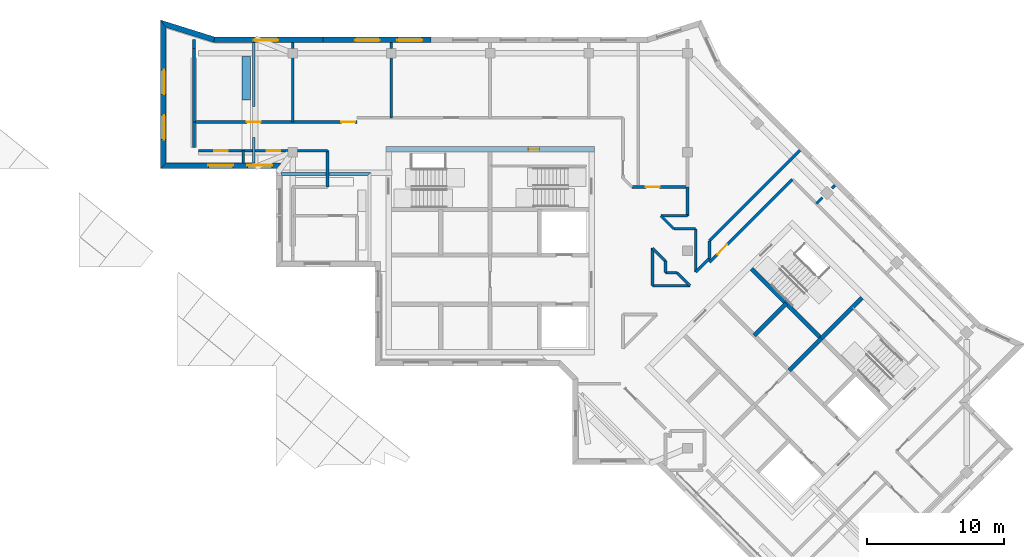
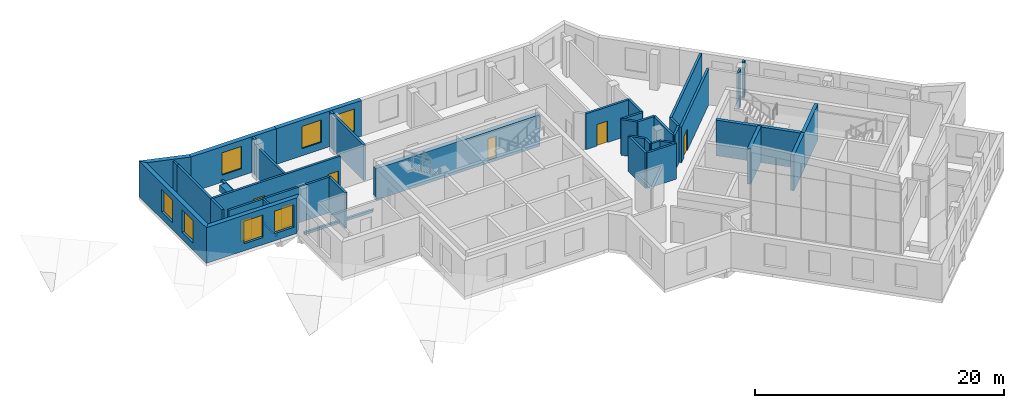
# One storey, part 8 of 13: 44 walls, 7 doors, 7 windows, 14 openings.
"""IFC4 building model written with IfcOpenShell, lengths in metres."""

from ifc_helpers import new_model, si_unit, direction, frame, frame_2d, origin, place, context, subcontext, project, spatial, polyline, rectangle, outline, extrude, material, layer, layer_set, type_object, element, fill, save


model = new_model("IFC4")

# Units and contexts
model_context = context("Model", 3, precision=1e-05, world=origin(), true_north=direction((0.0, 1.0)))
body_context = subcontext(model_context, "Body", "Model", "MODEL_VIEW")
ifc_project = project(units=[si_unit("LENGTHUNIT", "METRE"), si_unit("AREAUNIT", "SQUARE_METRE"), si_unit("VOLUMEUNIT", "CUBIC_METRE"), si_unit("PLANEANGLEUNIT", "RADIAN"), si_unit("MASSUNIT", "GRAM", prefix="KILO")], contexts=[model_context])

# Site, building, storey
site_placement = place(None, origin())
site = spatial("IfcSite", under=ifc_project, at=site_placement, CompositionType="ELEMENT")
building_placement = place(site_placement, origin())
building = spatial("IfcBuilding", under=site, at=building_placement, Name="Windrow Commons", CompositionType="ELEMENT")
storey_placement = place(building_placement, frame((0.0, 0.0, 294.4)))
storey = spatial("IfcBuildingStorey", under=building, at=storey_placement, Name="L80", CompositionType="ELEMENT", Elevation=294.4)

# Wall, openings, doors
ifc_material_1 = material(Name="Blockwork partition", Category="masonry")
ifc_layer_1 = layer(ifc_material_1, 0.2)
ifc_layer_set_1 = layer_set([ifc_layer_1], Name="IW-CORRIDOR-200")
wall_type_1 = type_object("IfcWallType", Name="IW-CORRIDOR-200", PredefinedType="PARTITIONING", material=ifc_layer_set_1)
wall_1_placement = place(storey_placement, frame((43.2, 67.0, 0.0), z_axis=(0.0, 0.0, 1.0), x_axis=(1.0, 0.0, 0.0)))
wall_1 = element("IfcWall", 1, at=wall_1_placement, inside=storey, type_object=wall_type_1, Name="W-L80-W003", PredefinedType="PARTITIONING", context=body_context, shape_type="SweptSolid", body=[
    extrude(rectangle(XDim=11.9, YDim=0.2, at=frame_2d((5.95, 0.0))), origin(), (0.0, 0.0, 1.0), 3.5),
])
opening_1_placement = place(wall_1_placement, frame((3.8625, 0.0, 0.0)))
opening_1 = element("IfcOpeningElement", 2, at=opening_1_placement, cuts=wall_1, Name="Opening D410F", PredefinedType="OPENING", context=body_context, shape_type="SweptSolid", body=[
    extrude(rectangle(XDim=1.0, YDim=2.1, at=frame_2d((0.5, 1.05))), frame((0.0, 0.11, 0.0), z_axis=(0.0, -1.0, 0.0), x_axis=(1.0, 0.0, 0.0)), (0.0, 0.0, 1.0), 0.22),
])
opening_2_placement = place(wall_1_placement, frame((10.7546, 0.0, 0.0)))
opening_2 = element("IfcOpeningElement", 3, at=opening_2_placement, cuts=wall_1, Name="Opening D410F", PredefinedType="OPENING", context=body_context, shape_type="SweptSolid", body=[
    extrude(rectangle(XDim=1.0, YDim=2.1, at=frame_2d((0.5, 1.05))), frame((0.0, 0.11, 0.0), z_axis=(0.0, -1.0, 0.0), x_axis=(1.0, 0.0, 0.0)), (0.0, 0.0, 1.0), 0.22),
])
ifc_material_2 = material(Name="Timber door leaf", Category="wood")
door_type_1 = type_object("IfcDoorType", Name="DT-SERVICE-1000", OperationType="SINGLE_SWING_LEFT", PredefinedType="DOOR", material=ifc_material_2)
door_1_placement = place(opening_1_placement, origin())
door_1 = element("IfcDoor", 4, at=door_1_placement, inside=storey, type_object=door_type_1, Name="D-L80-D002", OperationType="SINGLE_SWING_RIGHT", OverallHeight=2.1, OverallWidth=1.0, PredefinedType="DOOR", context=body_context, shape_type="SweptSolid", body=[
    extrude(rectangle(XDim=1.0, YDim=2.1, at=frame_2d((0.5, 1.05))), frame((0.0, 0.025, 0.0), z_axis=(0.0, -1.0, 0.0), x_axis=(1.0, 0.0, 0.0)), (0.0, 0.0, 1.0), 0.05),
])
fill(opening_1, door_1)
door_2_placement = place(opening_2_placement, origin())
door_2 = element("IfcDoor", 5, at=door_2_placement, inside=storey, type_object=door_type_1, Name="D-L80-D003", OperationType="SINGLE_SWING_RIGHT", OverallHeight=2.1, OverallWidth=1.0, PredefinedType="DOOR", context=body_context, shape_type="SweptSolid", body=[
    extrude(rectangle(XDim=1.0, YDim=2.1, at=frame_2d((0.5, 1.05))), frame((0.0, 0.025, 0.0), z_axis=(0.0, -1.0, 0.0), x_axis=(1.0, 0.0, 0.0)), (0.0, 0.0, 1.0), 0.05),
])
fill(opening_2, door_2)

# Wall, opening, door
wall_2_placement = place(storey_placement, frame((80.8035, 56.7705, 0.0), z_axis=(0.0, 0.0, 1.0), x_axis=(0.7069896038, 0.7072239391, 0.0)))
wall_2 = element("IfcWall", 6, at=wall_2_placement, inside=storey, type_object=wall_type_1, Name="W-L80-W008", PredefinedType="PARTITIONING", context=body_context, shape_type="SweptSolid", body=[
    extrude(rectangle(XDim=8.5348, YDim=0.2, at=frame_2d((4.2674, 0.0))), origin(), (0.0, 0.0, 1.0), 3.5),
])
opening_3_placement = place(wall_2_placement, frame((0.8108, 0.0, 0.0)))
opening_3 = element("IfcOpeningElement", 7, at=opening_3_placement, cuts=wall_2, Name="Opening D410F", PredefinedType="OPENING", context=body_context, shape_type="SweptSolid", body=[
    extrude(rectangle(XDim=1.0, YDim=2.1, at=frame_2d((0.5, 1.05))), frame((0.0, 0.11, 0.0), z_axis=(0.0, -1.0, 0.0), x_axis=(1.0, 0.0, 0.0)), (0.0, 0.0, 1.0), 0.22),
])
door_3_placement = place(opening_3_placement, origin())
door_3 = element("IfcDoor", 8, at=door_3_placement, inside=storey, type_object=door_type_1, Name="D-L80-D010", OperationType="SINGLE_SWING_RIGHT", OverallHeight=2.1, OverallWidth=1.0, PredefinedType="DOOR", context=body_context, shape_type="SweptSolid", body=[
    extrude(rectangle(XDim=1.0, YDim=2.1, at=frame_2d((0.5, 1.05))), frame((0.0, 0.025, 0.0), z_axis=(0.0, -1.0, 0.0), x_axis=(1.0, 0.0, 0.0)), (0.0, 0.0, 1.0), 0.05),
])
fill(opening_3, door_3)

# Wall, openings, doors
wall_3_placement = place(storey_placement, frame((43.55, 64.9, 0.0), z_axis=(0.0, 0.0, 1.0), x_axis=(1.0, 0.0, 0.0)))
wall_3 = element("IfcWall", 9, at=wall_3_placement, inside=storey, type_object=wall_type_1, Name="W-L80-W009", PredefinedType="PARTITIONING", context=body_context, shape_type="SweptSolid", body=[
    extrude(rectangle(XDim=7.2, YDim=0.2, at=frame_2d((3.6, 0.0))), origin(), (0.0, 0.0, 1.0), 3.5),
])
opening_4_placement = place(wall_3_placement, frame((1.1254, 0.0, 0.0)))
opening_4 = element("IfcOpeningElement", 10, at=opening_4_placement, cuts=wall_3, Name="Opening D410F", PredefinedType="OPENING", context=body_context, shape_type="SweptSolid", body=[
    extrude(rectangle(XDim=1.0, YDim=2.1, at=frame_2d((0.5, 1.05))), frame((0.0, 0.11, 0.0), z_axis=(0.0, -1.0, 0.0), x_axis=(1.0, 0.0, 0.0)), (0.0, 0.0, 1.0), 0.22),
])
opening_5_placement = place(wall_3_placement, frame((4.9516, 0.0, 0.0)))
opening_5 = element("IfcOpeningElement", 11, at=opening_5_placement, cuts=wall_3, Name="Opening D410F", PredefinedType="OPENING", context=body_context, shape_type="SweptSolid", body=[
    extrude(rectangle(XDim=1.0, YDim=2.1, at=frame_2d((0.5, 1.05))), frame((0.0, 0.11, 0.0), z_axis=(0.0, -1.0, 0.0), x_axis=(1.0, 0.0, 0.0)), (0.0, 0.0, 1.0), 0.22),
])
door_4_placement = place(opening_4_placement, origin())
door_4 = element("IfcDoor", 12, at=door_4_placement, inside=storey, type_object=door_type_1, Name="D-L80-D001", OperationType="SINGLE_SWING_RIGHT", OverallHeight=2.1, OverallWidth=1.0, PredefinedType="DOOR", context=body_context, shape_type="SweptSolid", body=[
    extrude(rectangle(XDim=1.0, YDim=2.1, at=frame_2d((0.5, 1.05))), frame((0.0, 0.025, 0.0), z_axis=(0.0, -1.0, 0.0), x_axis=(1.0, 0.0, 0.0)), (0.0, 0.0, 1.0), 0.05),
])
fill(opening_4, door_4)
door_5_placement = place(opening_5_placement, origin())
door_5 = element("IfcDoor", 13, at=door_5_placement, inside=storey, type_object=door_type_1, Name="D-L80-D004", OperationType="SINGLE_SWING_RIGHT", OverallHeight=2.1, OverallWidth=1.0, PredefinedType="DOOR", context=body_context, shape_type="SweptSolid", body=[
    extrude(rectangle(XDim=1.0, YDim=2.1, at=frame_2d((0.5, 1.05))), frame((0.0, 0.025, 0.0), z_axis=(0.0, -1.0, 0.0), x_axis=(1.0, 0.0, 0.0)), (0.0, 0.0, 1.0), 0.05),
])
fill(opening_5, door_5)

# Wall, opening, door
wall_4_placement = place(storey_placement, frame((75.162, 62.25, 0.0), z_axis=(0.0, 0.0, 1.0), x_axis=(1.0, 0.0, 0.0)))
wall_4 = element("IfcWall", 14, at=wall_4_placement, inside=storey, type_object=wall_type_1, Name="W-L80-W024", PredefinedType="PARTITIONING", context=body_context, shape_type="SweptSolid", body=[
    extrude(rectangle(XDim=4.038, YDim=0.2, at=frame_2d((2.019, 0.0))), origin(), (0.0, 0.0, 1.0), 3.5),
])
opening_6_placement = place(wall_4_placement, frame((1.0055, 0.0, 0.0)))
opening_6 = element("IfcOpeningElement", 15, at=opening_6_placement, cuts=wall_4, Name="Opening D410F", PredefinedType="OPENING", context=body_context, shape_type="SweptSolid", body=[
    extrude(rectangle(XDim=1.0, YDim=2.1, at=frame_2d((0.5, 1.05))), frame((0.0, 0.11, 0.0), z_axis=(0.0, -1.0, 0.0), x_axis=(1.0, 0.0, 0.0)), (0.0, 0.0, 1.0), 0.22),
])
door_6_placement = place(opening_6_placement, origin())
door_6 = element("IfcDoor", 16, at=door_6_placement, inside=storey, type_object=door_type_1, Name="D-L80-D009", OperationType="SINGLE_SWING_LEFT", OverallHeight=2.1, OverallWidth=1.0, PredefinedType="DOOR", context=body_context, shape_type="SweptSolid", body=[
    extrude(rectangle(XDim=1.0, YDim=2.1, at=frame_2d((0.5, 1.05))), frame((0.0, 0.025, 0.0), z_axis=(0.0, -1.0, 0.0), x_axis=(1.0, 0.0, 0.0)), (0.0, 0.0, 1.0), 0.05),
])
fill(opening_6, door_6)

# Walls
wall_5_placement = place(storey_placement, frame((79.8, 56.056, 0.0), z_axis=(0.0, 0.0, 1.0), x_axis=(0.0, 1.0, 0.0)))
element("IfcWall", 17, at=wall_5_placement, inside=storey, type_object=wall_type_1, Name="W-L80-W031", PredefinedType="PARTITIONING", context=body_context, shape_type="SweptSolid", body=[
    extrude(rectangle(XDim=3.144, YDim=0.2, at=frame_2d((1.572, 0.0))), origin(), (0.0, 0.0, 1.0), 3.5),
])
for number, where, z_axis, x_axis, name in (
    (18, (76.65, 55.052, 0.0), (0.0, 0.0, 1.0), (0.0, 1.0, 0.0), "W-L80-W033"),
    (19, (76.652, 55.05, 0.0), (0.0, 0.0, 1.0), (1.0, 0.0, 0.0), "W-L80-W034"),
):
    element("IfcWall", number, at=place(storey_placement, frame(where, z_axis=z_axis, x_axis=x_axis)), inside=storey, type_object=wall_type_1, Name=name, PredefinedType="PARTITIONING", context=body_context, shape_type="SweptSolid", body=[
        extrude(rectangle(XDim=2.738, YDim=0.2, at=frame_2d((1.369, 0.0))), origin(), (0.0, 0.0, 1.0), 3.5),
    ])
wall_6_placement = place(storey_placement, frame((52.95, 62.252, 0.0), z_axis=(0.0, 0.0, 1.0), x_axis=(0.0, 1.0, 0.0)))
element("IfcWall", 20, at=wall_6_placement, inside=storey, type_object=wall_type_1, Name="W-L80-W038", PredefinedType="PARTITIONING", context=body_context, shape_type="SweptSolid", body=[
    extrude(rectangle(XDim=2.648, YDim=0.2, at=frame_2d((1.324, 0.0))), origin(), (0.0, 0.0, 1.0), 3.5),
])
wall_7_placement = place(storey_placement, frame((50.75, 64.9, 0.0), z_axis=(0.0, 0.0, 1.0), x_axis=(1.0, 0.0, 0.0)))
element("IfcWall", 21, at=wall_7_placement, inside=storey, type_object=wall_type_1, Name="W-L80-W046", PredefinedType="PARTITIONING", context=body_context, shape_type="SweptSolid", body=[
    extrude(rectangle(XDim=2.2, YDim=0.2, at=frame_2d((1.1, 0.0))), origin(), (0.0, 0.0, 1.0), 3.5),
])
wall_8_placement = place(storey_placement, frame((79.2, 60.15, 0.0), z_axis=(0.0, 0.0, 1.0), x_axis=(0.0, 1.0, 0.0)))
element("IfcWall", 22, at=wall_8_placement, inside=storey, type_object=wall_type_1, Name="W-L80-W051", PredefinedType="PARTITIONING", context=body_context, shape_type="SweptSolid", body=[
    extrude(rectangle(XDim=2.1, YDim=0.2, at=frame_2d((1.05, 0.0))), origin(), (0.0, 0.0, 1.0), 3.5),
])
wall_9_placement = place(storey_placement, frame((77.264, 60.15, 0.0), z_axis=(0.0, 0.0, 1.0), x_axis=(1.0, 0.0, 0.0)))
element("IfcWall", 23, at=wall_9_placement, inside=storey, type_object=wall_type_1, Name="W-L80-W054", PredefinedType="PARTITIONING", context=body_context, shape_type="SweptSolid", body=[
    extrude(rectangle(XDim=1.936, YDim=0.2, at=frame_2d((0.968, 0.0))), origin(), (0.0, 0.0, 1.0), 3.5),
])
wall_10_placement = place(storey_placement, frame((43.2, 65.15, 0.0), z_axis=(0.0, 0.0, 1.0), x_axis=(0.0, 1.0, 0.0)))
element("IfcWall", 24, at=wall_10_placement, inside=storey, type_object=wall_type_1, Name="W-L80-W055", PredefinedType="PARTITIONING", context=body_context, shape_type="SweptSolid", body=[
    extrude(rectangle(XDim=1.85, YDim=0.2, at=frame_2d((0.925, 0.0))), origin(), (0.0, 0.0, 1.0), 3.5),
])
wall_11_placement = place(storey_placement, frame((78.212, 59.2, 0.0), z_axis=(0.0, 0.0, 1.0), x_axis=(1.0, 0.0, 0.0)))
element("IfcWall", 25, at=wall_11_placement, inside=storey, type_object=wall_type_1, Name="W-L80-W056", PredefinedType="PARTITIONING", context=body_context, shape_type="SweptSolid", body=[
    extrude(rectangle(XDim=1.588, YDim=0.2, at=frame_2d((0.794, 0.0))), origin(), (0.0, 0.0, 1.0), 3.5),
])
wall_12_placement = place(storey_placement, frame((79.8013, 56.0567, 0.0), z_axis=(0.0, 0.0, 1.0), x_axis=(0.7071067812, 0.7071067812, 0.0)))
element("IfcWall", 26, at=wall_12_placement, inside=storey, type_object=wall_type_1, Name="W-L80-W057", PredefinedType="PARTITIONING", context=body_context, shape_type="SweptSolid", body=[
    extrude(rectangle(XDim=1.4114, YDim=0.2, at=frame_2d((0.7057, 0.0))), origin(), (0.0, 0.0, 1.0), 3.5),
])
for number, where, z_axis, x_axis, name in (
    (27, (78.4386, 55.9966, 0.0), (0.0, 0.0, 1.0), (0.7071067812, -0.7071067812, 0.0), "W-L80-W058"),
    (28, (77.2605, 60.1445, 0.0), (0.0, 0.0, 1.0), (0.7071067812, -0.7071067812, 0.0), "W-L80-W059"),
    (29, (76.6486, 57.7866, 0.0), (0.0, 0.0, 1.0), (0.7071067812, -0.7071067812, 0.0), "W-L80-W060"),
):
    element("IfcWall", number, at=place(storey_placement, frame(where, z_axis=z_axis, x_axis=x_axis)), inside=storey, type_object=wall_type_1, Name=name, PredefinedType="PARTITIONING", context=body_context, shape_type="SweptSolid", body=[
        extrude(rectangle(XDim=1.3407, YDim=0.2, at=frame_2d((0.6704, 0.0))), origin(), (0.0, 0.0, 1.0), 3.5),
    ])
for number, where, z_axis, x_axis, name in (
    (30, (77.6, 56.0, 0.0), (0.0, 0.0, 1.0), (0.0, 1.0, 0.0), "W-L80-W065"),
    (31, (77.6, 56.0, 0.0), (0.0, 0.0, 1.0), (1.0, 0.0, 0.0), "W-L80-W066"),
):
    element("IfcWall", number, at=place(storey_placement, frame(where, z_axis=z_axis, x_axis=x_axis)), inside=storey, type_object=wall_type_1, Name=name, PredefinedType="PARTITIONING", context=body_context, shape_type="SweptSolid", body=[
        extrude(rectangle(XDim=0.842, YDim=0.2, at=frame_2d((0.421, 0.0))), origin(), (0.0, 0.0, 1.0), 3.5),
    ])
ifc_material_3 = material(Name="Blockwork partition", Category="masonry")
ifc_layer_2 = layer(ifc_material_3, 0.2)
ifc_layer_set_2 = layer_set([ifc_layer_2], Name="IW-PARTY-200")
wall_type_2 = type_object("IfcWallType", Name="IW-PARTY-200", PredefinedType="PARTITIONING", material=ifc_layer_set_2)
wall_13_placement = place(storey_placement, frame((43.2, 67.0, 0.0), z_axis=(0.0, 0.0, 1.0), x_axis=(0.0, 1.0, 0.0)))
element("IfcWall", 32, at=wall_13_placement, inside=storey, type_object=wall_type_2, Name="W-L80-W017", PredefinedType="PARTITIONING", context=body_context, shape_type="SweptSolid", body=[
    extrude(rectangle(XDim=5.35, YDim=0.2, at=frame_2d((2.675, 0.0))), origin(), (0.0, 0.0, 1.0), 3.5),
])
wall_14_placement = place(storey_placement, frame((50.4, 67.0, 0.0), z_axis=(0.0, 0.0, 1.0), x_axis=(0.0, 1.0, 0.0)))
element("IfcWall", 33, at=wall_14_placement, inside=storey, type_object=wall_type_2, Name="W-L80-W018", PredefinedType="PARTITIONING", context=body_context, shape_type="SweptSolid", body=[
    extrude(rectangle(XDim=5.35, YDim=0.2, at=frame_2d((2.675, 0.0))), origin(), (0.0, 0.0, 1.0), 3.0),
])
wall_15_placement = place(storey_placement, frame((57.6, 67.3, 0.0), z_axis=(0.0, 0.0, 1.0), x_axis=(0.0, 1.0, 0.0)))
element("IfcWall", 34, at=wall_15_placement, inside=storey, type_object=wall_type_2, Name="W-L80-W020", PredefinedType="PARTITIONING", context=body_context, shape_type="SweptSolid", body=[
    extrude(rectangle(XDim=5.05, YDim=0.2, at=frame_2d((2.525, 0.0))), origin(), (0.0, 0.0, 1.0), 3.5),
])
wall_16_placement = place(storey_placement, frame((80.8, 57.054, 0.0), z_axis=(0.0, 0.0, 1.0), x_axis=(0.0, 1.0, 0.0)))
element("IfcWall", 35, at=wall_16_placement, inside=storey, type_object=wall_type_2, Name="W-L80-W061", PredefinedType="PARTITIONING", context=body_context, shape_type="SweptSolid", body=[
    extrude(rectangle(XDim=1.272, YDim=0.2, at=frame_2d((0.636, 0.0))), origin(), (0.0, 0.0, 1.0), 3.5),
])
wall_17_placement = place(storey_placement, frame((43.2, 72.35, 0.0), z_axis=(0.0, 0.0, 1.0), x_axis=(0.0, 1.0, 0.0)))
element("IfcWall", 36, at=wall_17_placement, inside=storey, type_object=wall_type_2, Name="W-L80-W068", PredefinedType="PARTITIONING", context=body_context, shape_type="SweptSolid", body=[
    extrude(rectangle(XDim=0.65, YDim=0.2, at=frame_2d((0.325, 0.0))), origin(), (0.0, 0.0, 1.0), 3.5),
])
wall_18_placement = place(storey_placement, frame((88.6035, 61.0405, 0.0), z_axis=(0.0, 0.0, 1.0), x_axis=(0.7071067812, 0.7071067812, 0.0)))
element("IfcWall", 37, at=wall_18_placement, inside=storey, type_object=wall_type_2, Name="W-L80-W075", PredefinedType="PARTITIONING", context=body_context, shape_type="SweptSolid", body=[
    extrude(rectangle(XDim=0.6053, YDim=0.2, at=frame_2d((0.3026, 0.0))), origin(), (0.0, 0.0, 1.0), 3.5),
])
wall_19_placement = place(storey_placement, frame((80.7989, 58.3271, 0.0), z_axis=(0.0, 0.0, 1.0), x_axis=(0.7071067812, 0.7071067812, 0.0)))
element("IfcWall", 38, at=wall_19_placement, inside=storey, type_object=wall_type_2, Name="W-L80-W005", PredefinedType="PARTITIONING", context=body_context, shape_type="SweptSolid", body=[
    extrude(outline(polyline([(0.0, -0.1), (9.3376, -0.1), (9.3376, 0.1), (0.0, 0.1), (0.0, -0.1)])), origin(), (0.0, 0.0, 1.0), 3.5),
])
wall_20_placement = place(storey_placement, frame((46.8, 64.0, 0.0), z_axis=(0.0, 0.0, 1.0), x_axis=(0.0, 1.0, 0.0)))
element("IfcWall", 39, at=wall_20_placement, inside=storey, type_object=wall_type_2, Name="W-L80-W062", PredefinedType="PARTITIONING", context=body_context, shape_type="SweptSolid", body=[
    extrude(outline(polyline([(0.0, -0.1), (0.9, -0.1), (0.9, 0.1), (0.0, 0.1), (0.0, -0.1)])), origin(), (0.0, 0.0, 1.0), 3.5),
])
for number, where, z_axis, x_axis, name in (
    (40, (50.4, 72.35, 0.0), (0.0, 0.0, 1.0), (0.0, 1.0, 0.0), "W-L80-W069"),
    (41, (57.6, 72.35, 0.0), (0.0, 0.0, 1.0), (0.0, 1.0, 0.0), "W-L80-W070"),
):
    element("IfcWall", number, at=place(storey_placement, frame(where, z_axis=z_axis, x_axis=x_axis)), inside=storey, type_object=wall_type_2, Name=name, PredefinedType="PARTITIONING", context=body_context, shape_type="SweptSolid", body=[
        extrude(outline(polyline([(0.0, -0.1), (0.45, -0.1), (0.45, 0.1), (0.0, 0.1), (0.0, -0.1)])), origin(), (0.0, 0.0, 1.0), 3.5),
    ])
wall_21_placement = place(storey_placement, frame((89.7343, 62.1657, 0.0), z_axis=(0.0, 0.0, 1.0), x_axis=(0.7089070674, 0.7053018997, 0.0)))
element("IfcWall", 42, at=wall_21_placement, inside=storey, type_object=wall_type_2, Name="W-L80-W079", PredefinedType="PARTITIONING", context=body_context, shape_type="SweptSolid", body=[
    extrude(outline(polyline([(0.0, -0.1), (0.3051, -0.1), (0.3051, 0.1), (0.0, 0.1), (0.0, -0.1)])), origin(), (0.0, 0.0, 1.0), 3.5),
])
ifc_material_4 = material(Name="Concrete C30/37 planter wall", Category="concrete")
ifc_layer_3 = layer(ifc_material_4, 0.6)
ifc_layer_set_3 = layer_set([ifc_layer_3], Name="Planter 600x450")
wall_type_3 = type_object("IfcWallType", Name="Planter 600x450", PredefinedType="SOLIDWALL", material=ifc_layer_set_3)
wall_22_placement = place(storey_placement, frame((47.017, 68.6, 0.0), z_axis=(0.0, 0.0, 1.0), x_axis=(0.0, 1.0, 0.0)))
element("IfcWall", 43, at=wall_22_placement, inside=storey, type_object=wall_type_3, Name="PLANTER TR-L80-1.1", PredefinedType="SOLIDWALL", context=body_context, shape_type="SweptSolid", body=[
    extrude(outline(polyline([(0.0, -0.3), (3.18, -0.3), (3.18, 0.3), (0.0, 0.3), (0.0, -0.3)])), origin(), (0.0, 0.0, 1.0), 0.65),
])

# Wall, opening, door
ifc_material_5 = material(Name="Concrete C40/50", Category="concrete")
ifc_layer_4 = layer(ifc_material_5, 0.4)
ifc_layer_set_4 = layer_set([ifc_layer_4], Name="RC CORE WALL 400 C40/50")
wall_type_4 = type_object("IfcWallType", Name="RC CORE WALL 400 C40/50", PredefinedType="SHEAR", material=ifc_layer_set_4)
wall_23_placement = place(storey_placement, frame((57.2, 65.0, -0.3), z_axis=(0.0, 0.0, 1.0), x_axis=(1.0, 0.0, 0.0)))
wall_23 = element("IfcWall", 44, at=wall_23_placement, inside=storey, type_object=wall_type_4, Name="Core A wall outer-N", PredefinedType="SHEAR", context=body_context, shape_type="SweptSolid", body=[
    extrude(outline(polyline([(0.0, 0.0), (15.2, 0.0), (15.2, 3.1), (0.0, 3.1), (0.0, 0.0)])), frame((0.0, 0.2, 0.0), z_axis=(0.0, -1.0, 0.0), x_axis=(1.0, 0.0, 0.0)), (0.0, 0.0, 1.0), 0.4),
])
opening_7_placement = place(wall_23_placement, frame((10.4, 0.0, 0.3)))
opening_7 = element("IfcOpeningElement", 45, at=opening_7_placement, cuts=wall_23, Name="Opening D9", PredefinedType="OPENING", context=body_context, shape_type="SweptSolid", body=[
    extrude(rectangle(XDim=0.8, YDim=2.1, at=frame_2d((0.4, 1.05))), frame((0.0, 0.21, 0.0), z_axis=(0.0, -1.0, 0.0), x_axis=(1.0, 0.0, 0.0)), (0.0, 0.0, 1.0), 0.42),
])
ifc_material_6 = material(Name="Steel fire door leaf", Category="steel")
door_type_2 = type_object("IfcDoorType", Name="Riser access door 800", OperationType="SINGLE_SWING_LEFT", PredefinedType="DOOR", material=ifc_material_6)
door_7_placement = place(opening_7_placement, origin())
door_7 = element("IfcDoor", 46, at=door_7_placement, inside=storey, type_object=door_type_2, Name="Riser access door", OperationType="SINGLE_SWING_RIGHT", OverallHeight=2.1, OverallWidth=0.8, PredefinedType="DOOR", context=body_context, shape_type="SweptSolid", body=[
    extrude(rectangle(XDim=0.8, YDim=2.1, at=frame_2d((0.4, 1.05))), frame((0.0, 0.025, 0.0), z_axis=(0.0, -1.0, 0.0), x_axis=(1.0, 0.0, 0.0)), (0.0, 0.0, 1.0), 0.05),
])
fill(opening_7, door_7)

# Walls
ifc_material_7 = material(Name="Concrete C40/50", Category="concrete")
ifc_layer_5 = layer(ifc_material_7, 0.3)
ifc_layer_set_5 = layer_set([ifc_layer_5], Name="RC SHAFT WALL 300 C40/50")
wall_type_5 = type_object("IfcWallType", Name="RC SHAFT WALL 300 C40/50", PredefinedType="SOLIDWALL", material=ifc_layer_set_5)
wall_24_placement = place(storey_placement, frame((84.079, 51.4232, 0.0), z_axis=(0.0, 0.0, 1.0), x_axis=(0.7071219326, 0.7070916295, 0.0)))
element("IfcWall", 47, at=wall_24_placement, inside=storey, type_object=wall_type_5, Name="Core B wall shaft-N1", PredefinedType="SOLIDWALL", context=body_context, shape_type="SweptSolid", body=[
    extrude(outline(polyline([(0.0, 0.0), (3.3, 0.0), (3.3, 3.5), (0.0, 3.5), (0.0, 0.0)])), frame((0.0, 0.15, 0.0), z_axis=(0.0, -1.0, 0.0), x_axis=(1.0, 0.0, 0.0)), (0.0, 0.0, 1.0), 0.3),
])
wall_25_placement = place(storey_placement, frame((86.6246, 48.8776, 0.0), z_axis=(0.0, 0.0, 1.0), x_axis=(0.7071067812, 0.7071067812, 0.0)))
element("IfcWall", 48, at=wall_25_placement, inside=storey, type_object=wall_type_5, Name="Core B wall shaft-N2", PredefinedType="SOLIDWALL", context=body_context, shape_type="SweptSolid", body=[
    extrude(outline(polyline([(0.0, 0.0), (3.3001, 0.0), (3.3001, 3.5), (0.0, 3.5), (0.0, 0.0)])), frame((0.0, 0.15, 0.0), z_axis=(0.0, -1.0, 0.0), x_axis=(1.0, 0.0, 0.0)), (0.0, 0.0, 1.0), 0.3),
])
wall_26_placement = place(storey_placement, frame((83.8669, 56.3022, 0.0), z_axis=(0.0, 0.0, 1.0), x_axis=(0.7071137256, -0.7070998367, 0.0)))
element("IfcWall", 49, at=wall_26_placement, inside=storey, type_object=wall_type_5, Name="Core B wall stair-S", PredefinedType="SOLIDWALL", context=body_context, shape_type="SweptSolid", body=[
    extrude(outline(polyline([(0.0, 0.0), (7.2, 0.0), (7.2, 3.5), (0.0, 3.5), (0.0, 0.0)])), frame((0.0, 0.15, 0.0), z_axis=(0.0, -1.0, 0.0), x_axis=(1.0, 0.0, 0.0)), (0.0, 0.0, 1.0), 0.3),
])
wall_27_placement = place(storey_placement, frame((88.9581, 51.2111, 0.0), z_axis=(0.0, 0.0, 1.0), x_axis=(0.7071067812, 0.7071067812, 0.0)))
element("IfcWall", 50, at=wall_27_placement, inside=storey, type_object=wall_type_5, Name="Core B wall stair-mid", PredefinedType="SOLIDWALL", context=body_context, shape_type="SweptSolid", body=[
    extrude(outline(polyline([(0.0, 0.0), (4.1999, 0.0), (4.1999, 3.5), (0.0, 3.5), (0.0, 0.0)])), frame((0.0, 0.15, 0.0), z_axis=(0.0, -1.0, 0.0), x_axis=(1.0, 0.0, 0.0)), (0.0, 0.0, 1.0), 0.3),
])
ifc_material_8 = material(Name="Brick masonry, red clay brick", Category="masonry")
ifc_layer_6 = layer(ifc_material_8, 0.2)
ifc_layer_set_6 = layer_set([ifc_layer_6], Name="Terrace edge parapet 200")
wall_type_6 = type_object("IfcWallType", Name="Terrace edge parapet 200", PredefinedType="PARAPET", material=ifc_layer_set_6)
wall_28_placement = place(storey_placement, frame((56.0, 63.2, 0.0), z_axis=(0.0, 0.0, 1.0), x_axis=(-1.0, 0.0, 0.0)))
element("IfcWall", 51, at=wall_28_placement, inside=storey, type_object=wall_type_6, Name="Terrace parapet TR-L80-2.1.2", PredefinedType="PARAPET", context=body_context, shape_type="SweptSolid", body=[
    extrude(outline(polyline([(-0.1, -0.1), (6.4, -0.1), (6.4, 0.1), (0.1, 0.1), (-0.1, -0.1)])), origin(), (0.0, 0.0, 1.0), 0.25),
])
wall_29_placement = place(storey_placement, frame((47.567, 64.0, 0.0), z_axis=(0.0, 0.0, 1.0), x_axis=(0.0, 1.0, 0.0)))
element("IfcWall", 52, at=wall_29_placement, inside=storey, type_object=wall_type_6, Name="Terrace parapet TR-L80-1.1.1", PredefinedType="PARAPET", context=body_context, shape_type="SweptSolid", body=[
    extrude(outline(polyline([(0.0, -0.1), (1.88, -0.1), (1.88, 0.1), (0.0, 0.1), (0.0, -0.1)])), origin(), (0.0, 0.0, 1.0), 0.25),
])
wall_30_placement = place(storey_placement, frame((47.567, 68.12, 0.0), z_axis=(0.0, 0.0, 1.0), x_axis=(0.0, 1.0, 0.0)))
element("IfcWall", 53, at=wall_30_placement, inside=storey, type_object=wall_type_6, Name="Terrace parapet TR-L80-1.1.1", PredefinedType="PARAPET", context=body_context, shape_type="SweptSolid", body=[
    extrude(outline(polyline([(0.0, -0.1), (4.68, -0.1), (4.68, 0.1), (0.0, 0.1), (0.0, -0.1)])), origin(), (0.0, 0.0, 1.0), 0.25),
])

# Wall, openings, windows
ifc_material_9 = material(Name="Standing seam zinc cladding on insulated masonry backing", Category="masonry")
ifc_layer_7 = layer(ifc_material_9, 0.4)
ifc_layer_set_7 = layer_set([ifc_layer_7], Name="Zinc clad crown wall 400")
wall_type_7 = type_object("IfcWallType", Name="Zinc clad crown wall 400", PredefinedType="SOLIDWALL", material=ifc_layer_set_7)
wall_31_placement = place(storey_placement, frame((60.4853, 73.0, 0.0), z_axis=(0.0, 0.0, 1.0), x_axis=(-1.0, 0.0, 0.0)))
wall_31 = element("IfcWall", 54, at=wall_31_placement, inside=storey, type_object=wall_type_7, Name="Brick facade wall L80 13", PredefinedType="SOLIDWALL", context=body_context, shape_type="SweptSolid", body=[
    extrude(outline(polyline([(0.0, -0.2), (7.8873, -0.2), (7.8873, 0.2), (0.0, 0.2), (0.0, -0.2)])), origin(), (0.0, 0.0, 1.0), 3.5),
])
opening_8_placement = place(wall_31_placement, frame((0.6426, 0.0, 0.7)))
opening_8 = element("IfcOpeningElement", 55, at=opening_8_placement, cuts=wall_31, Name="Opening W6", PredefinedType="OPENING", context=body_context, shape_type="SweptSolid", body=[
    extrude(rectangle(XDim=1.8, YDim=2.2, at=frame_2d((0.9, 1.1))), frame((0.0, 0.21, 0.0), z_axis=(0.0, -1.0, 0.0), x_axis=(1.0, 0.0, 0.0)), (0.0, 0.0, 1.0), 0.42),
])
opening_9_placement = place(wall_31_placement, frame((3.7353, 0.0, 0.7)))
opening_9 = element("IfcOpeningElement", 56, at=opening_9_placement, cuts=wall_31, Name="Opening W6", PredefinedType="OPENING", context=body_context, shape_type="SweptSolid", body=[
    extrude(rectangle(XDim=1.8, YDim=2.2, at=frame_2d((0.9, 1.1))), frame((0.0, 0.21, 0.0), z_axis=(0.0, -1.0, 0.0), x_axis=(1.0, 0.0, 0.0)), (0.0, 0.0, 1.0), 0.42),
])
ifc_material_10 = material(Name="Clear float glass in anodised aluminium frame", Category="aluminium")
window_type = type_object("IfcWindowType", Name="Window W6 crown 1800x2200", PartitioningType="SINGLE_PANEL", PredefinedType="WINDOW", material=ifc_material_10)
window_1_placement = place(opening_8_placement, origin())
window_1 = element("IfcWindow", 57, at=window_1_placement, inside=storey, type_object=window_type, Name="Window L80 13.1", OverallHeight=2.2, OverallWidth=1.8, PartitioningType="SINGLE_PANEL", PredefinedType="WINDOW", context=body_context, shape_type="SweptSolid", body=[
    extrude(rectangle(XDim=1.8, YDim=2.2, at=frame_2d((0.9, 1.1))), frame((0.0, 0.08, 0.0), z_axis=(0.0, -1.0, 0.0), x_axis=(1.0, 0.0, 0.0)), (0.0, 0.0, 1.0), 0.06),
])
fill(opening_8, window_1)
window_2_placement = place(opening_9_placement, origin())
window_2 = element("IfcWindow", 58, at=window_2_placement, inside=storey, type_object=window_type, Name="Window L80 13.2", OverallHeight=2.2, OverallWidth=1.8, PartitioningType="SINGLE_PANEL", PredefinedType="WINDOW", context=body_context, shape_type="SweptSolid", body=[
    extrude(rectangle(XDim=1.8, YDim=2.2, at=frame_2d((0.9, 1.1))), frame((0.0, 0.08, 0.0), z_axis=(0.0, -1.0, 0.0), x_axis=(1.0, 0.0, 0.0)), (0.0, 0.0, 1.0), 0.06),
])
fill(opening_9, window_2)

# Wall, opening, window
wall_32_placement = place(storey_placement, frame((52.598, 73.0, 0.0), z_axis=(0.0, 0.0, 1.0), x_axis=(-1.0, 0.0, 0.0)))
wall_32 = element("IfcWall", 59, at=wall_32_placement, inside=storey, type_object=wall_type_7, Name="Brick facade wall L80 14", PredefinedType="SOLIDWALL", context=body_context, shape_type="SweptSolid", body=[
    extrude(outline(polyline([(0.0, -0.2), (7.8873, -0.2), (7.9484, 0.2), (0.0, 0.2), (0.0, -0.2)])), origin(), (0.0, 0.0, 1.0), 3.5),
])
opening_10_placement = place(wall_32_placement, frame((3.248, 0.0, 0.7)))
opening_10 = element("IfcOpeningElement", 60, at=opening_10_placement, cuts=wall_32, Name="Opening W6", PredefinedType="OPENING", context=body_context, shape_type="SweptSolid", body=[
    extrude(rectangle(XDim=1.8, YDim=2.2, at=frame_2d((0.9, 1.1))), frame((0.0, 0.21, 0.0), z_axis=(0.0, -1.0, 0.0), x_axis=(1.0, 0.0, 0.0)), (0.0, 0.0, 1.0), 0.42),
])
window_3_placement = place(opening_10_placement, origin())
window_3 = element("IfcWindow", 61, at=window_3_placement, inside=storey, type_object=window_type, Name="Window L80 14.1", OverallHeight=2.2, OverallWidth=1.8, PartitioningType="SINGLE_PANEL", PredefinedType="WINDOW", context=body_context, shape_type="SweptSolid", body=[
    extrude(rectangle(XDim=1.8, YDim=2.2, at=frame_2d((0.9, 1.1))), frame((0.0, 0.08, 0.0), z_axis=(0.0, -1.0, 0.0), x_axis=(1.0, 0.0, 0.0)), (0.0, 0.0, 1.0), 0.06),
])
fill(opening_10, window_3)

# Wall
wall_33_placement = place(storey_placement, frame((44.6801, 73.0, 0.0), z_axis=(0.0, 0.0, 1.0), x_axis=(-0.9544392625, 0.2984052516, 0.0)))
element("IfcWall", 62, at=wall_33_placement, inside=storey, type_object=wall_type_7, Name="Brick facade wall L80 15", PredefinedType="SOLIDWALL", context=body_context, shape_type="SweptSolid", body=[
    extrude(outline(polyline([(0.0305, -0.2), (4.1625, -0.2), (3.6183, 0.2), (-0.0305, 0.2), (0.0305, -0.2)])), origin(), (0.0, 0.0, 1.0), 3.5),
])

# Wall, openings, windows
wall_34_placement = place(storey_placement, frame((40.967, 74.1609, 0.0), z_axis=(0.0, 0.0, 1.0), x_axis=(0.0, -1.0, 0.0)))
wall_34 = element("IfcWall", 63, at=wall_34_placement, inside=storey, type_object=wall_type_7, Name="Brick facade wall L80 16", PredefinedType="SOLIDWALL", context=body_context, shape_type="SweptSolid", body=[
    extrude(outline(polyline([(-0.2721, -0.2), (10.5609, -0.2), (10.1609, 0.2), (0.2721, 0.2), (-0.2721, -0.2)])), origin(), (0.0, 0.0, 1.0), 3.5),
])
opening_11_placement = place(wall_34_placement, frame((3.3609, 0.0, 0.7)))
opening_11 = element("IfcOpeningElement", 64, at=opening_11_placement, cuts=wall_34, Name="Opening W6", PredefinedType="OPENING", context=body_context, shape_type="SweptSolid", body=[
    extrude(rectangle(XDim=1.8, YDim=2.2, at=frame_2d((0.9, 1.1))), frame((0.0, 0.21, 0.0), z_axis=(0.0, -1.0, 0.0), x_axis=(1.0, 0.0, 0.0)), (0.0, 0.0, 1.0), 0.42),
])
opening_12_placement = place(wall_34_placement, frame((6.6609, 0.0, 0.7)))
opening_12 = element("IfcOpeningElement", 65, at=opening_12_placement, cuts=wall_34, Name="Opening W6", PredefinedType="OPENING", context=body_context, shape_type="SweptSolid", body=[
    extrude(rectangle(XDim=1.8, YDim=2.2, at=frame_2d((0.9, 1.1))), frame((0.0, 0.21, 0.0), z_axis=(0.0, -1.0, 0.0), x_axis=(1.0, 0.0, 0.0)), (0.0, 0.0, 1.0), 0.42),
])
window_4_placement = place(opening_11_placement, origin())
window_4 = element("IfcWindow", 66, at=window_4_placement, inside=storey, type_object=window_type, Name="Window L80 16.1", OverallHeight=2.2, OverallWidth=1.8, PartitioningType="SINGLE_PANEL", PredefinedType="WINDOW", context=body_context, shape_type="SweptSolid", body=[
    extrude(rectangle(XDim=1.8, YDim=2.2, at=frame_2d((0.9, 1.1))), frame((0.0, 0.08, 0.0), z_axis=(0.0, -1.0, 0.0), x_axis=(1.0, 0.0, 0.0)), (0.0, 0.0, 1.0), 0.06),
])
fill(opening_11, window_4)
window_5_placement = place(opening_12_placement, origin())
window_5 = element("IfcWindow", 67, at=window_5_placement, inside=storey, type_object=window_type, Name="Window L80 16.2", OverallHeight=2.2, OverallWidth=1.8, PartitioningType="SINGLE_PANEL", PredefinedType="WINDOW", context=body_context, shape_type="SweptSolid", body=[
    extrude(rectangle(XDim=1.8, YDim=2.2, at=frame_2d((0.9, 1.1))), frame((0.0, 0.08, 0.0), z_axis=(0.0, -1.0, 0.0), x_axis=(1.0, 0.0, 0.0)), (0.0, 0.0, 1.0), 0.06),
])
fill(opening_12, window_5)

wall_35_placement = place(storey_placement, frame((40.967, 63.8, 0.0), z_axis=(0.0, 0.0, 1.0), x_axis=(1.0, 0.0, 0.0)))
wall_35 = element("IfcWall", 68, at=wall_35_placement, inside=storey, type_object=wall_type_7, Name="Brick facade wall L80 17", PredefinedType="SOLIDWALL", context=body_context, shape_type="SweptSolid", body=[
    extrude(outline(polyline([(-0.2, -0.2), (8.233, -0.2), (8.633, 0.2), (0.2, 0.2), (-0.2, -0.2)])), origin(), (0.0, 0.0, 1.0), 3.5),
])
opening_13_placement = place(wall_35_placement, frame((3.283, 0.0, 0.7)))
opening_13 = element("IfcOpeningElement", 69, at=opening_13_placement, cuts=wall_35, Name="Opening W6", PredefinedType="OPENING", context=body_context, shape_type="SweptSolid", body=[
    extrude(rectangle(XDim=1.8, YDim=2.2, at=frame_2d((0.9, 1.1))), frame((0.0, 0.21, 0.0), z_axis=(0.0, -1.0, 0.0), x_axis=(1.0, 0.0, 0.0)), (0.0, 0.0, 1.0), 0.42),
])
opening_14_placement = place(wall_35_placement, frame((6.133, 0.0, 0.7)))
opening_14 = element("IfcOpeningElement", 70, at=opening_14_placement, cuts=wall_35, Name="Opening W6", PredefinedType="OPENING", context=body_context, shape_type="SweptSolid", body=[
    extrude(rectangle(XDim=1.8, YDim=2.2, at=frame_2d((0.9, 1.1))), frame((0.0, 0.21, 0.0), z_axis=(0.0, -1.0, 0.0), x_axis=(1.0, 0.0, 0.0)), (0.0, 0.0, 1.0), 0.42),
])
window_6_placement = place(opening_13_placement, origin())
window_6 = element("IfcWindow", 71, at=window_6_placement, inside=storey, type_object=window_type, Name="Window L80 17.1", OverallHeight=2.2, OverallWidth=1.8, PartitioningType="SINGLE_PANEL", PredefinedType="WINDOW", context=body_context, shape_type="SweptSolid", body=[
    extrude(rectangle(XDim=1.8, YDim=2.2, at=frame_2d((0.9, 1.1))), frame((0.0, 0.08, 0.0), z_axis=(0.0, -1.0, 0.0), x_axis=(1.0, 0.0, 0.0)), (0.0, 0.0, 1.0), 0.06),
])
fill(opening_13, window_6)
window_7_placement = place(opening_14_placement, origin())
window_7 = element("IfcWindow", 72, at=window_7_placement, inside=storey, type_object=window_type, Name="Window L80 17.2", OverallHeight=2.2, OverallWidth=1.8, PartitioningType="SINGLE_PANEL", PredefinedType="WINDOW", context=body_context, shape_type="SweptSolid", body=[
    extrude(rectangle(XDim=1.8, YDim=2.2, at=frame_2d((0.9, 1.1))), frame((0.0, 0.08, 0.0), z_axis=(0.0, -1.0, 0.0), x_axis=(1.0, 0.0, 0.0)), (0.0, 0.0, 1.0), 0.06),
])
fill(opening_14, window_7)

save(model, "model.ifc")
